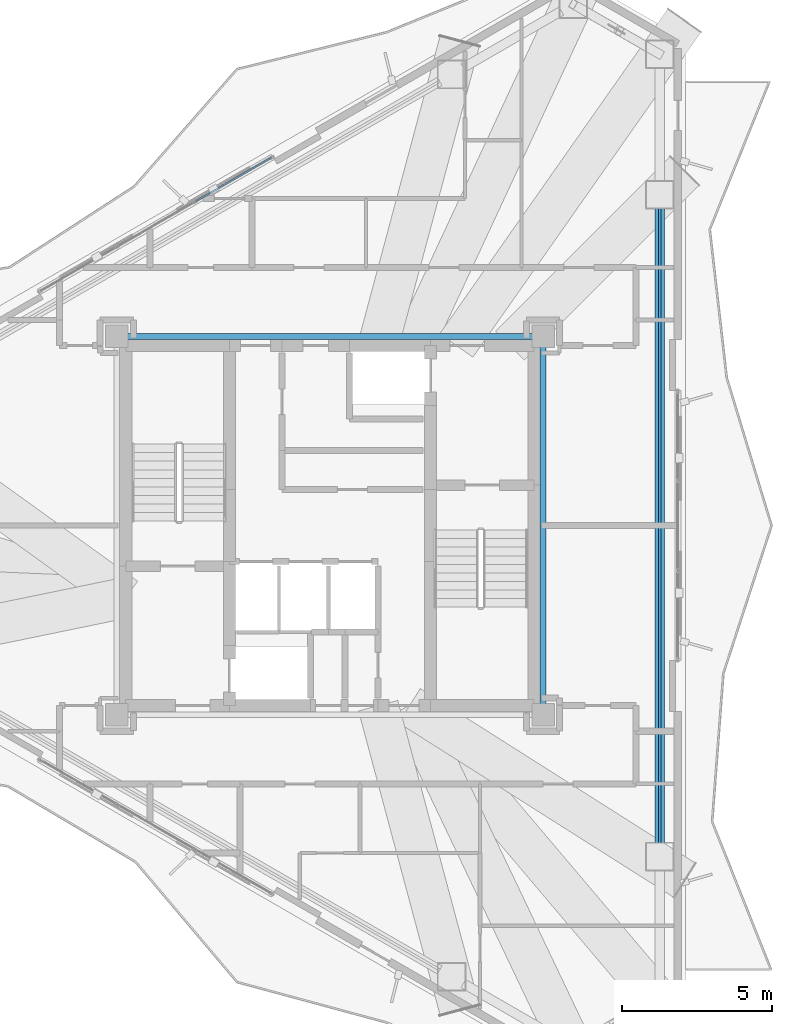
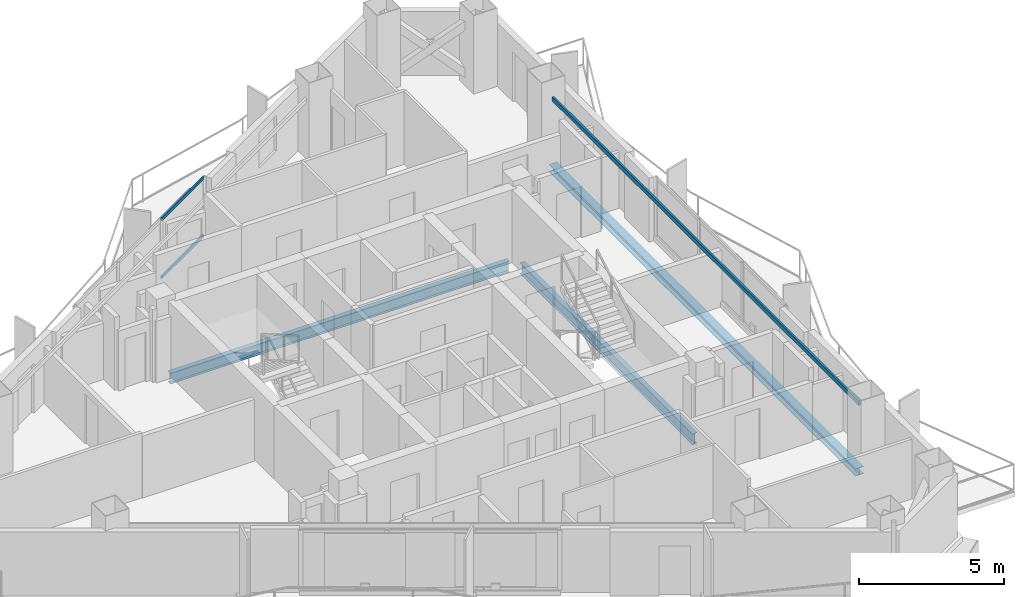
# One storey, part 9 of 19: 4 beams, 2 members, 1 element without a shape of its own.
"""IFC4 building model written with IfcOpenShell, lengths in metres."""

from ifc_helpers import new_model, si_unit, direction, frame, origin, origin_2d, place, context, subcontext, project, spatial, hollow_rectangle, i_section, extrude, material, layer, layer_set, material_profile, profile_set, type_object, element, aggregate, save


model = new_model("IFC4")

# Units and contexts
model_context = context("Model", 3, precision=1e-05, world=origin(), true_north=direction((0.0, 1.0)))
body_context = subcontext(model_context, "Body", "Model", "MODEL_VIEW")
ifc_project = project(units=[si_unit("LENGTHUNIT", "METRE"), si_unit("AREAUNIT", "SQUARE_METRE"), si_unit("VOLUMEUNIT", "CUBIC_METRE"), si_unit("PLANEANGLEUNIT", "RADIAN"), si_unit("MASSUNIT", "GRAM", prefix="KILO")], contexts=[model_context])

# Site, building, storey
site_placement = place(None, origin())
site = spatial("IfcSite", under=ifc_project, at=site_placement, CompositionType="ELEMENT")
building_placement = place(site_placement, origin())
building = spatial("IfcBuilding", under=site, at=building_placement, Name="Mersakhor Tower and Convention Hall", CompositionType="ELEMENT")
storey_placement = place(building_placement, frame((0.0, 0.0, 175.5)))
storey = spatial("IfcBuildingStorey", under=building, at=storey_placement, Name="L48", CompositionType="ELEMENT", Elevation=175.5)

# Beams
ifc_material_1 = material(Name="Steel S355", Category="steel")
ifc_material_profile_1 = material_profile(ifc_material_1, i_section(OverallWidth=0.19140625, OverallDepth=0.4599609375, WebThickness=0.010009765625, FlangeThickness=0.01611328125, at=origin_2d()), Name="UB 457x191x82")
ifc_profile_set_1 = profile_set([ifc_material_profile_1], Name="Steel S355")
beam_type_1 = type_object("IfcBeamType", Name="BM-FB-457", PredefinedType="BEAM", material=ifc_profile_set_1)
beam_1_placement = place(storey_placement, frame((22.2548828125, 33.050048828125, -0.4599609375), z_axis=(1.0, 0.0, 0.0), x_axis=(0.0, 1.0, 0.0)))
element("IfcBeam", 1, at=beam_1_placement, inside=storey, type_object=beam_type_1, Name="L48 Core Ring Tie Beam CRB-2", PredefinedType="BEAM", context=body_context, shape_type="SweptSolid", body=[
    extrude(i_section(OverallWidth=0.19140625, OverallDepth=0.4599609375, WebThickness=0.010009765625, FlangeThickness=0.01611328125, at=origin_2d()), origin(), (0.0, 0.0, 1.0), 13.490234375),
])
beam_2_placement = place(storey_placement, frame((36.10009765625, 32.695068359375, -0.4599609375), z_axis=(0.0, -1.0, 0.0), x_axis=(1.0, 0.0, 0.0)))
element("IfcBeam", 2, at=beam_2_placement, inside=storey, type_object=beam_type_1, Name="L48 Core Ring Tie Beam CRB-3", PredefinedType="BEAM", context=body_context, shape_type="SweptSolid", body=[
    extrude(i_section(OverallWidth=0.19140625, OverallDepth=0.4599609375, WebThickness=0.010009765625, FlangeThickness=0.01611328125, at=origin_2d()), origin(), (0.0, 0.0, 1.0), 11.89013671875),
])
ifc_material_2 = material(Name="Steel S355", Category="steel")
ifc_material_profile_2 = material_profile(ifc_material_2, hollow_rectangle(XDim=0.080078125, YDim=0.179931640625, WallThickness=0.008056640625, at=origin_2d()), Name="RHS 180x80x8")
ifc_profile_set_2 = profile_set([ifc_material_profile_2], Name="Steel S355")
beam_type_2 = type_object("IfcBeamType", Name="BM-GRT-RHS180", PredefinedType="USERDEFINED", material=ifc_profile_set_2)
beam_3_placement = place(storey_placement, frame((39.98828125, 37.31787109375, 2.47998046875), z_axis=(0.0, -1.0, 0.0), x_axis=(1.0, 0.0, 0.0)))
element("IfcBeam", 3, at=beam_3_placement, inside=storey, type_object=beam_type_2, Name="L48 Facade Support Girt GRT-F2", ObjectType="GIRT", PredefinedType="USERDEFINED", context=body_context, shape_type="SweptSolid", body=[
    extrude(hollow_rectangle(XDim=0.080078125, YDim=0.179931640625, WallThickness=0.008056640625, at=origin_2d()), origin(), (0.0, 0.0, 1.0), 21.1357421875),
])
ifc_material_3 = material(Name="Steel S355", Category="steel")
ifc_material_profile_3 = material_profile(ifc_material_3, i_section(OverallWidth=0.30908203125, OverallDepth=0.320556640625, WebThickness=0.013916015625, FlangeThickness=0.021728515625, at=origin_2d()), Name="UC 305x305x137")
ifc_profile_set_3 = profile_set([ifc_material_profile_3], Name="Steel S355")
beam_type_3 = type_object("IfcBeamType", Name="BM-SPD-UC305", PredefinedType="SPANDREL", material=ifc_profile_set_3)
beam_4_placement = place(storey_placement, frame((39.98828125, 37.31787109375, -0.39013671875), z_axis=(0.0, -1.0, 0.0), x_axis=(1.0, 0.0, 0.0)))
element("IfcBeam", 4, at=beam_4_placement, inside=storey, type_object=beam_type_3, Name="L48 Perimeter Spandrel Beam SPB-06", PredefinedType="SPANDREL", context=body_context, shape_type="SweptSolid", body=[
    extrude(i_section(OverallWidth=0.30908203125, OverallDepth=0.320556640625, WebThickness=0.013916015625, FlangeThickness=0.021728515625, at=origin_2d()), origin(), (0.0, 0.0, 1.0), 21.1357421875),
])

# Curtain wall, members
ifc_material_4 = material(Name="Dark solar low-E aluminium curtain wall", Category="aluminium")
ifc_layer = layer(ifc_material_4, 0.169921875)
ifc_layer_set = layer_set([ifc_layer], Name="Dark solar low-E aluminium curtain wall")
curtain_wall_type = type_object("IfcCurtainWallType", Name="CW-SYS-02", PredefinedType="USERDEFINED", material=ifc_layer_set)
curtain_wall_placement = place(storey_placement, origin())
curtain_wall = element("IfcCurtainWall", 5, at=curtain_wall_placement, inside=storey, type_object=curtain_wall_type, Name="L48 Dark-Glass Curtain Wall F1-B2", ObjectType="CURTAIN WALL", PredefinedType="USERDEFINED")
ifc_material_5 = material(Name="Anodised aluminium EN AW-6063 T6", Category="aluminium")
ifc_material_profile_4 = material_profile(ifc_material_5, hollow_rectangle(XDim=0.06005859375, YDim=0.1201171875, WallThickness=0.0048828125, at=origin_2d()), Name="RHS 120x60x5")
ifc_profile_set_4 = profile_set([ifc_material_profile_4], Name="Anodised aluminium EN AW-6063 T6")
member_type = type_object("IfcMemberType", Name="CWT-120x60", PredefinedType="USERDEFINED", material=ifc_profile_set_4)
member_1_placement = place(storey_placement, frame((24.537109375, 37.554443359375, 0.22998046875), z_axis=(0.86601237176, 0.50002257145, 0.0), x_axis=(-0.50002257145, 0.86601237176, 0.0)))
member_1 = element("IfcMember", 6, at=member_1_placement, type_object=member_type, Name="CW-02 transom 3.1", ObjectType="TRANSOM", PredefinedType="USERDEFINED", context=body_context, shape_type="SweptSolid", body=[
    extrude(hollow_rectangle(XDim=0.06005859375, YDim=0.1201171875, WallThickness=0.0048828125, at=origin_2d()), origin(), (0.0, 0.0, 1.0), 2.886962890625),
])
member_2_placement = place(storey_placement, frame((24.537109375, 37.554443359375, 2.659912109375), z_axis=(0.86601237176, 0.50002257145, 0.0), x_axis=(-0.50002257145, 0.86601237176, 0.0)))
member_2 = element("IfcMember", 7, at=member_2_placement, type_object=member_type, Name="CW-02 transom 3.2", ObjectType="TRANSOM", PredefinedType="USERDEFINED", context=body_context, shape_type="SweptSolid", body=[
    extrude(hollow_rectangle(XDim=0.06005859375, YDim=0.1201171875, WallThickness=0.0048828125, at=origin_2d()), origin(), (0.0, 0.0, 1.0), 2.886962890625),
])
aggregate(curtain_wall, [member_1, member_2])

save(model, "model.ifc")
